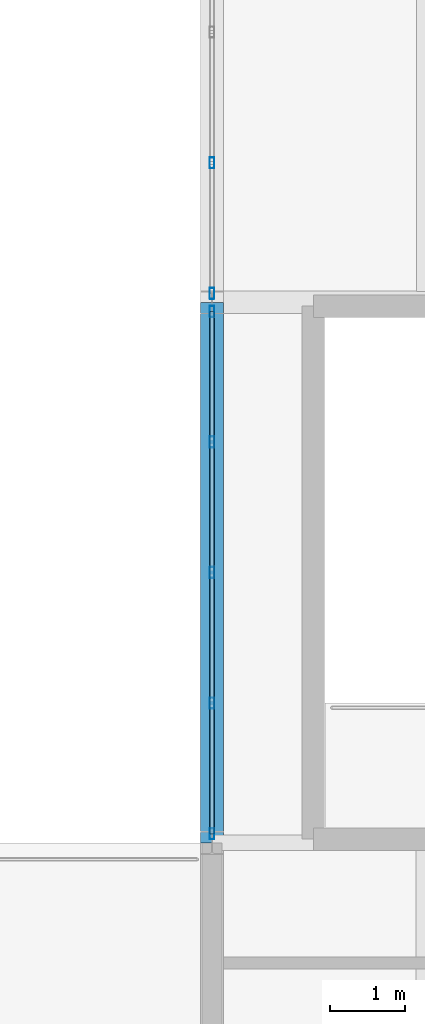
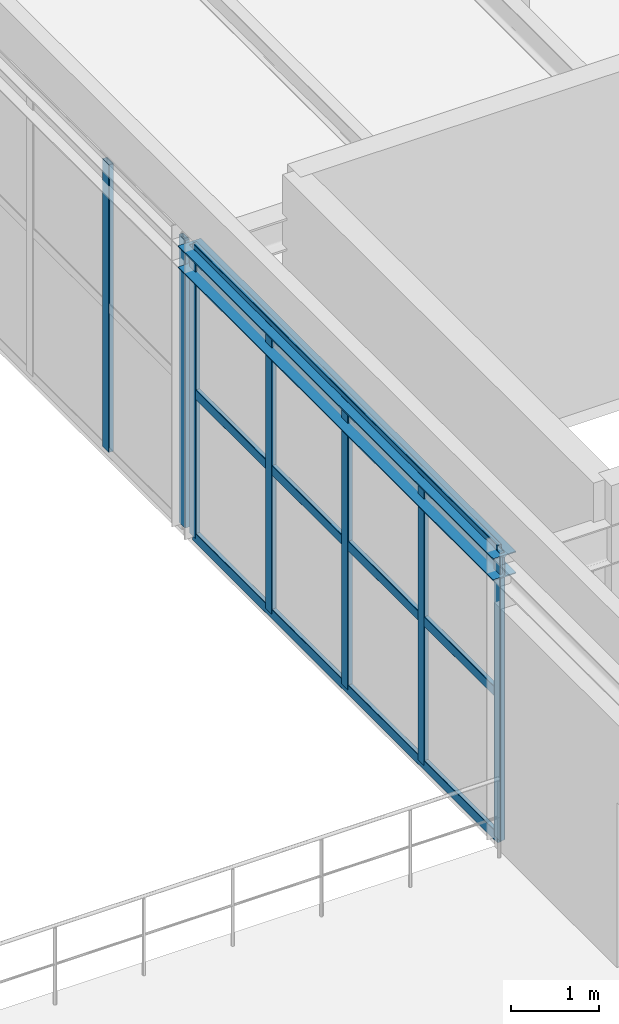
# One storey, part 55 of 77: 10 members, 1 beam, 2 elements without a shape of their own.
"""IFC4 building model written with IfcOpenShell, lengths in metres."""

from ifc_helpers import new_model, si_unit, derived_unit, direction, frame, origin, origin_2d, place, context, subcontext, project, spatial, hollow_rectangle, i_section, extrude, material, material_profile, profile_set, type_object, element, aggregate, save


model = new_model("IFC4")

# Units and contexts
model_context = context("Model", 3, precision=1e-05, world=origin(), true_north=direction((0.0, 1.0)))
body_context = subcontext(model_context, "Body", "Model", "MODEL_VIEW")
ifc_project = project(units=[si_unit("LENGTHUNIT", "METRE"), si_unit("AREAUNIT", "SQUARE_METRE"), si_unit("VOLUMEUNIT", "CUBIC_METRE"), si_unit("PLANEANGLEUNIT", "RADIAN"), si_unit("MASSUNIT", "GRAM", prefix="KILO"), derived_unit("THERMALTRANSMITTANCEUNIT", [(si_unit("MASSUNIT", "GRAM", prefix="KILO"), 1), (si_unit("TIMEUNIT", "SECOND"), -3), (si_unit("THERMODYNAMICTEMPERATUREUNIT", "KELVIN"), -1)])], contexts=[model_context])

# Site, building, storey
site_placement = place(None, origin())
site = spatial("IfcSite", under=ifc_project, at=site_placement, CompositionType="ELEMENT")
building_placement = place(site_placement, origin())
building = spatial("IfcBuilding", under=site, at=building_placement, Name="Kharveza Railside Sports Centre", CompositionType="ELEMENT")
storey_placement = place(building_placement, frame((0.0, 0.0, 17.10009765625)))
storey = spatial("IfcBuildingStorey", under=building, at=storey_placement, Name="L04", CompositionType="ELEMENT", Elevation=17.10009765625)

# Beam
ifc_material_1 = material(Name="Steel S355J2", Category="steel")
ifc_material_profile_1 = material_profile(ifc_material_1, i_section(OverallWidth=0.300048828125, OverallDepth=0.31005859375, WebThickness=0.009033203125, FlangeThickness=0.015380859375, FilletRadius=0.027099609375, at=origin_2d()), Name="HEA 320")
ifc_profile_set_1 = profile_set([ifc_material_profile_1], Name="Steel S355J2")
beam_type = type_object("IfcBeamType", Name="BM-S06", PredefinedType="BEAM", material=ifc_profile_set_1)
beam_placement = place(storey_placement, frame((142.800048828125, 36.0, 3.85498046875), z_axis=(0.0, 1.0, 0.0), x_axis=(-1.0, 0.0, 0.0)))
element("IfcBeam", 1, at=beam_placement, inside=storey, type_object=beam_type, Name="BM-NS-L04-B14-X1428-Y360", PredefinedType="BEAM", context=body_context, shape_type="SweptSolid", body=[
    extrude(i_section(OverallWidth=0.300048828125, OverallDepth=0.31005859375, WebThickness=0.009033203125, FlangeThickness=0.015380859375, FilletRadius=0.027099609375, at=origin_2d()), origin(), (0.0, 0.0, 1.0), 7.199951171875),
])

# Curtain wall, members
ifc_material_2 = material(Name="Low-E solar-control laminated glass", Category="glass")
curtain_wall_type = type_object("IfcCurtainWallType", Name="CW-WG04", PredefinedType="NOTDEFINED", material=ifc_material_2)
curtain_wall_1_placement = place(storey_placement, origin())
curtain_wall_1 = element("IfcCurtainWall", 2, at=curtain_wall_1_placement, inside=storey, type_object=curtain_wall_type, Name="CW-WG-L04-CW-WG04-X1428-Y468", PredefinedType="NOTDEFINED")
ifc_material_3 = material(Name="Anodised aluminium 6063-T6", Category="aluminium")
ifc_material_profile_2 = material_profile(ifc_material_3, hollow_rectangle(XDim=0.06494140625, YDim=0.14990234375, WallThickness=0.0048828125, InnerFilletRadius=0.0048828125, OuterFilletRadius=0.010009765625, at=origin_2d()), Name="RHS 65x150x5.0")
ifc_profile_set_2 = profile_set([ifc_material_profile_2], Name="Anodised aluminium 6063-T6")
member_type_1 = type_object("IfcMemberType", Name="CW-ML04", PredefinedType="MULLION", material=ifc_profile_set_2)
member_1_placement = place(storey_placement, frame((142.800048828125, 45.06005859375, 0.0), z_axis=(0.0, 0.0, 1.0), x_axis=(1.0, 0.0, 0.0)))
member_1 = element("IfcMember", 3, at=member_1_placement, type_object=member_type_1, Name="CW-WG-L04-CW-WG04-X1428-Y468-ML4", PredefinedType="MULLION", context=body_context, shape_type="SweptSolid", body=[
    extrude(hollow_rectangle(XDim=0.06494140625, YDim=0.14990234375, WallThickness=0.0048828125, InnerFilletRadius=0.0048828125, OuterFilletRadius=0.010009765625, at=origin_2d()), origin(), (0.0, 0.0, 1.0), 4.010009765625),
])
member_2_placement = place(storey_placement, frame((142.800048828125, 43.320068359375, 0.0), z_axis=(0.0, 0.0, 1.0), x_axis=(1.0, 0.0, 0.0)))
member_2 = element("IfcMember", 4, at=member_2_placement, type_object=member_type_1, Name="CW-WG-L04-CW-WG04-X1428-Y468-ML5", PredefinedType="MULLION", context=body_context, shape_type="SweptSolid", body=[
    extrude(hollow_rectangle(XDim=0.06494140625, YDim=0.14990234375, WallThickness=0.0048828125, InnerFilletRadius=0.0048828125, OuterFilletRadius=0.010009765625, at=origin_2d()), origin(), (0.0, 0.0, 1.0), 4.010009765625),
])
aggregate(curtain_wall_1, [member_1, member_2])

curtain_wall_2_placement = place(storey_placement, origin())
curtain_wall_2 = element("IfcCurtainWall", 5, at=curtain_wall_2_placement, inside=storey, type_object=curtain_wall_type, Name="CW-WG-L04-CW-WG04-X1428-Y396", PredefinedType="NOTDEFINED")
member_3_placement = place(storey_placement, frame((142.800048828125, 43.080078125, 0.0), z_axis=(0.0, 0.0, 1.0), x_axis=(1.0, 0.0, 0.0)))
member_3 = element("IfcMember", 6, at=member_3_placement, type_object=member_type_1, Name="CW-WG-L04-CW-WG04-X1428-Y396-ML1", PredefinedType="MULLION", context=body_context, shape_type="SweptSolid", body=[
    extrude(hollow_rectangle(XDim=0.06494140625, YDim=0.14990234375, WallThickness=0.0048828125, InnerFilletRadius=0.0048828125, OuterFilletRadius=0.010009765625, at=origin_2d()), origin(), (0.0, 0.0, 1.0), 4.010009765625),
])
member_4_placement = place(storey_placement, frame((142.800048828125, 41.340087890625, 0.0), z_axis=(0.0, 0.0, 1.0), x_axis=(1.0, 0.0, 0.0)))
member_4 = element("IfcMember", 7, at=member_4_placement, type_object=member_type_1, Name="CW-WG-L04-CW-WG04-X1428-Y396-ML2", PredefinedType="MULLION", context=body_context, shape_type="SweptSolid", body=[
    extrude(hollow_rectangle(XDim=0.06494140625, YDim=0.14990234375, WallThickness=0.0048828125, InnerFilletRadius=0.0048828125, OuterFilletRadius=0.010009765625, at=origin_2d()), origin(), (0.0, 0.0, 1.0), 4.010009765625),
])
member_5_placement = place(storey_placement, frame((142.800048828125, 39.60009765625, 0.0), z_axis=(0.0, 0.0, 1.0), x_axis=(1.0, 0.0, 0.0)))
member_5 = element("IfcMember", 8, at=member_5_placement, type_object=member_type_1, Name="CW-WG-L04-CW-WG04-X1428-Y396-ML3", PredefinedType="MULLION", context=body_context, shape_type="SweptSolid", body=[
    extrude(hollow_rectangle(XDim=0.06494140625, YDim=0.14990234375, WallThickness=0.0048828125, InnerFilletRadius=0.0048828125, OuterFilletRadius=0.010009765625, at=origin_2d()), origin(), (0.0, 0.0, 1.0), 4.010009765625),
])
member_6_placement = place(storey_placement, frame((142.800048828125, 37.860107421875, 0.0), z_axis=(0.0, 0.0, 1.0), x_axis=(1.0, 0.0, 0.0)))
member_6 = element("IfcMember", 9, at=member_6_placement, type_object=member_type_1, Name="CW-WG-L04-CW-WG04-X1428-Y396-ML4", PredefinedType="MULLION", context=body_context, shape_type="SweptSolid", body=[
    extrude(hollow_rectangle(XDim=0.06494140625, YDim=0.14990234375, WallThickness=0.0048828125, InnerFilletRadius=0.0048828125, OuterFilletRadius=0.010009765625, at=origin_2d()), origin(), (0.0, 0.0, 1.0), 4.010009765625),
])
member_7_placement = place(storey_placement, frame((142.800048828125, 36.1201171875, 0.0), z_axis=(0.0, 0.0, 1.0), x_axis=(1.0, 0.0, 0.0)))
member_7 = element("IfcMember", 10, at=member_7_placement, type_object=member_type_1, Name="CW-WG-L04-CW-WG04-X1428-Y396-ML5", PredefinedType="MULLION", context=body_context, shape_type="SweptSolid", body=[
    extrude(hollow_rectangle(XDim=0.06494140625, YDim=0.14990234375, WallThickness=0.0048828125, InnerFilletRadius=0.0048828125, OuterFilletRadius=0.010009765625, at=origin_2d()), origin(), (0.0, 0.0, 1.0), 4.010009765625),
])
ifc_material_profile_3 = material_profile(ifc_material_3, hollow_rectangle(XDim=0.06005859375, YDim=0.139892578125, WallThickness=0.0048828125, InnerFilletRadius=0.0048828125, OuterFilletRadius=0.010009765625, at=origin_2d()), Name="RHS 60x140x5.0")
ifc_profile_set_3 = profile_set([ifc_material_profile_3], Name="Anodised aluminium 6063-T6")
member_type_2 = type_object("IfcMemberType", Name="CW-TR04", PredefinedType="USERDEFINED", material=ifc_profile_set_3)
member_8_placement = place(storey_placement, frame((142.800048828125, 43.080078125, 0.0), z_axis=(0.0, -1.0, 0.0), x_axis=(1.0, 0.0, 0.0)))
member_8 = element("IfcMember", 11, at=member_8_placement, type_object=member_type_2, Name="CW-WG-L04-CW-WG04-X1428-Y396-TR1", ObjectType="TRANSOM", PredefinedType="USERDEFINED", context=body_context, shape_type="SweptSolid", body=[
    extrude(hollow_rectangle(XDim=0.06005859375, YDim=0.139892578125, WallThickness=0.0048828125, InnerFilletRadius=0.0048828125, OuterFilletRadius=0.010009765625, at=origin_2d()), origin(), (0.0, 0.0, 1.0), 6.9599609375),
])
member_9_placement = place(storey_placement, frame((142.800048828125, 43.080078125, 2.0048828125), z_axis=(0.0, -1.0, 0.0), x_axis=(1.0, 0.0, 0.0)))
member_9 = element("IfcMember", 12, at=member_9_placement, type_object=member_type_2, Name="CW-WG-L04-CW-WG04-X1428-Y396-TR2", ObjectType="TRANSOM", PredefinedType="USERDEFINED", context=body_context, shape_type="SweptSolid", body=[
    extrude(hollow_rectangle(XDim=0.06005859375, YDim=0.139892578125, WallThickness=0.0048828125, InnerFilletRadius=0.0048828125, OuterFilletRadius=0.010009765625, at=origin_2d()), origin(), (0.0, 0.0, 1.0), 6.9599609375),
])
member_10_placement = place(storey_placement, frame((142.800048828125, 43.080078125, 4.010009765625), z_axis=(0.0, -1.0, 0.0), x_axis=(1.0, 0.0, 0.0)))
member_10 = element("IfcMember", 13, at=member_10_placement, type_object=member_type_2, Name="CW-WG-L04-CW-WG04-X1428-Y396-TR3", ObjectType="TRANSOM", PredefinedType="USERDEFINED", context=body_context, shape_type="SweptSolid", body=[
    extrude(hollow_rectangle(XDim=0.06005859375, YDim=0.139892578125, WallThickness=0.0048828125, InnerFilletRadius=0.0048828125, OuterFilletRadius=0.010009765625, at=origin_2d()), origin(), (0.0, 0.0, 1.0), 6.9599609375),
])
aggregate(curtain_wall_2, [member_3, member_4, member_5, member_6, member_7, member_8, member_9, member_10])

save(model, "model.ifc")
